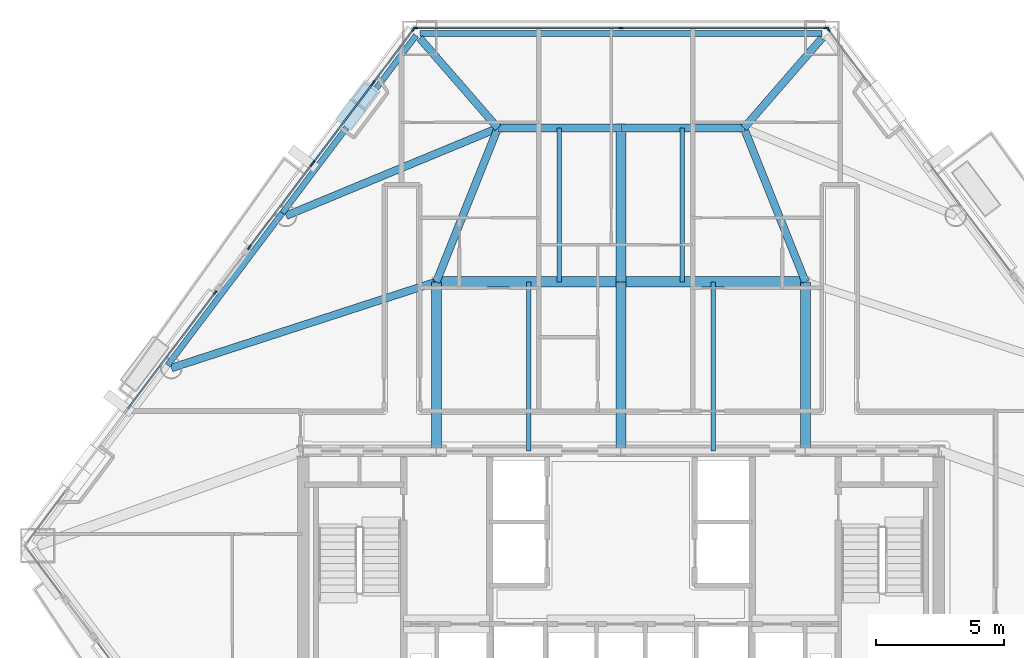
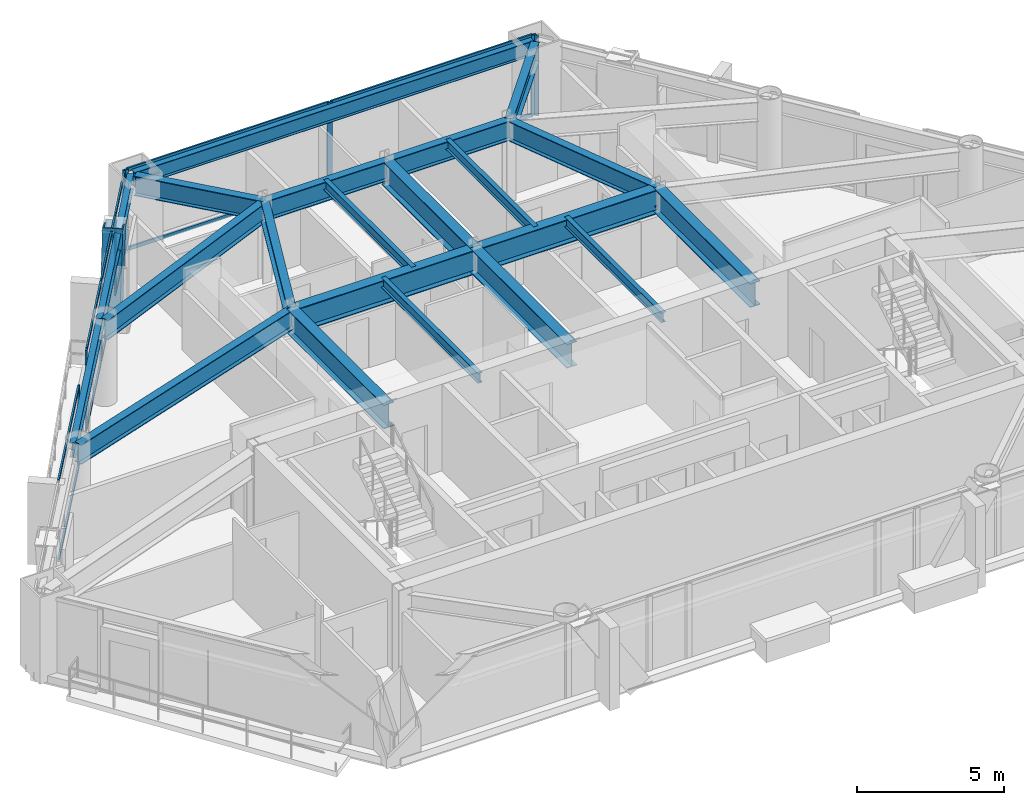
# One storey, part 3 of 11: 24 members, 21 beams, 6 elements without a shape of their own.
"""IFC4 building model written with IfcOpenShell, lengths in metres."""

from ifc_helpers import new_model, si_unit, direction, frame, origin, origin_2d, place, context, subcontext, project, spatial, rectangle, hollow_rectangle, i_section, extrude, material, layer, layer_set, material_profile, profile_set, type_object, element, aggregate, save


model = new_model("IFC4")

# Units and contexts
model_context = context("Model", 3, precision=1e-05, world=origin(), true_north=direction((0.0, 1.0)))
body_context = subcontext(model_context, "Body", "Model", "MODEL_VIEW")
ifc_project = project(units=[si_unit("LENGTHUNIT", "METRE"), si_unit("AREAUNIT", "SQUARE_METRE"), si_unit("VOLUMEUNIT", "CUBIC_METRE"), si_unit("PLANEANGLEUNIT", "RADIAN"), si_unit("MASSUNIT", "GRAM", prefix="KILO")], contexts=[model_context])

# Site, building, storey
site_placement = place(None, origin())
site = spatial("IfcSite", under=ifc_project, at=site_placement, CompositionType="ELEMENT")
building_placement = place(site_placement, origin())
building = spatial("IfcBuilding", under=site, at=building_placement, Name="Talgorran Terracotta Tower", CompositionType="ELEMENT")
storey_placement = place(building_placement, frame((0.0, 0.0, 45.89990234375)))
storey = spatial("IfcBuildingStorey", under=building, at=storey_placement, Name="L11", CompositionType="ELEMENT", Elevation=45.89990234375)

# Beams
ifc_material_1 = material(Name="Steel Grade 350 (350L0)", Category="steel")
ifc_material_profile_1 = material_profile(ifc_material_1, i_section(OverallWidth=0.39990234375, OverallDepth=1.0, WebThickness=0.01611328125, FlangeThickness=0.031005859375, at=origin_2d()), Name="1000WB296")
ifc_profile_set_1 = profile_set([ifc_material_profile_1], Name="Steel Grade 350 (350L0)")
beam_type_1 = type_object("IfcBeamType", Name="BM_1000WB296", PredefinedType="BEAM", material=ifc_profile_set_1)
for number, where, z_axis, x_axis, name in (
    (1, (-7.199951171875, -4.199951171875, 2.85009765625), (0.0, 1.0, 0.0), (-1.0, 0.0, 0.0), "L11 Floor Girder G01"),
    (2, (0.0, -4.199951171875, 2.85009765625), (0.0, 1.0, 0.0), (-1.0, 0.0, 0.0), "L11 Floor Girder G02"),
    (3, (7.199951171875, -4.199951171875, 2.85009765625), (0.0, 1.0, 0.0), (-1.0, 0.0, 0.0), "L11 Floor Girder G03"),
):
    element("IfcBeam", number, at=place(storey_placement, frame(where, z_axis=z_axis, x_axis=x_axis)), inside=storey, type_object=beam_type_1, Name=name, PredefinedType="BEAM", context=body_context, shape_type="SweptSolid", body=[
        extrude(i_section(OverallWidth=0.39990234375, OverallDepth=1.0, WebThickness=0.01611328125, FlangeThickness=0.031005859375, at=origin_2d()), origin(), (0.0, 0.0, 1.0), 6.599853515625),
    ])
for number, where, z_axis, x_axis, name in (
    (4, (-7.199951171875, 2.39990234375, 2.85009765625), (1.0, 0.0, 0.0), (0.0, 1.0, 0.0), "L11 Floor Girder G04"),
    (5, (0.0, 2.39990234375, 2.85009765625), (1.0, 0.0, 0.0), (0.0, 1.0, 0.0), "L11 Floor Girder G05"),
):
    element("IfcBeam", number, at=place(storey_placement, frame(where, z_axis=z_axis, x_axis=x_axis)), inside=storey, type_object=beam_type_1, Name=name, PredefinedType="BEAM", context=body_context, shape_type="SweptSolid", body=[
        extrude(i_section(OverallWidth=0.39990234375, OverallDepth=1.0, WebThickness=0.01611328125, FlangeThickness=0.031005859375, at=origin_2d()), origin(), (0.0, 0.0, 1.0), 7.199951171875),
    ])
beam_1_placement = place(storey_placement, frame((0.0, 2.39990234375, 2.85009765625), z_axis=(0.0, 1.0, 0.0), x_axis=(-1.0, 0.0, 0.0)))
element("IfcBeam", 6, at=beam_1_placement, inside=storey, type_object=beam_type_1, Name="L11 Floor Girder G09", PredefinedType="BEAM", context=body_context, shape_type="SweptSolid", body=[
    extrude(i_section(OverallWidth=0.39990234375, OverallDepth=1.0, WebThickness=0.01611328125, FlangeThickness=0.031005859375, at=origin_2d()), origin(), (0.0, 0.0, 1.0), 6.0),
])
ifc_material_2 = material(Name="Steel S355 (300PLUS)", Category="steel")
ifc_material_profile_2 = material_profile(ifc_material_2, i_section(OverallWidth=0.300048828125, OverallDepth=0.81591796875, WebThickness=0.013916015625, FlangeThickness=0.028076171875, at=origin_2d()), Name="800WB192")
ifc_profile_set_2 = profile_set([ifc_material_profile_2], Name="Steel S355 (300PLUS)")
beam_type_2 = type_object("IfcBeamType", Name="BM_800WB192", PredefinedType="BEAM", material=ifc_profile_set_2)
beam_2_placement = place(storey_placement, frame((-7.199951171875, 2.39990234375, 2.942138671875), z_axis=(-0.950964080861, -0.309301336746, 0.0), x_axis=(0.309301336746, -0.950964080861, 0.0)))
element("IfcBeam", 7, at=beam_2_placement, inside=storey, type_object=beam_type_2, Name="L11 Floor Girder G06", PredefinedType="BEAM", context=body_context, shape_type="SweptSolid", body=[
    extrude(i_section(OverallWidth=0.300048828125, OverallDepth=0.81591796875, WebThickness=0.013916015625, FlangeThickness=0.028076171875, at=origin_2d()), origin(), (0.0, 0.0, 1.0), 10.873046875),
])
for number, where, z_axis, x_axis, name in (
    (8, (-7.199951171875, 2.39990234375, 2.942138671875), (0.371377648723, 0.928481901832, 0.0), (-0.928481901832, 0.371377648723, 0.0), "L11 Floor Girder G08"),
    (9, (7.199951171875, 2.39990234375, 2.942138671875), (-0.371377648723, 0.928481901832, 0.0), (-0.928481901832, -0.371377648723, 0.0), "L11 Floor Girder G10"),
):
    element("IfcBeam", number, at=place(storey_placement, frame(where, z_axis=z_axis, x_axis=x_axis)), inside=storey, type_object=beam_type_2, Name=name, PredefinedType="BEAM", context=body_context, shape_type="SweptSolid", body=[
        extrude(i_section(OverallWidth=0.300048828125, OverallDepth=0.81591796875, WebThickness=0.013916015625, FlangeThickness=0.028076171875, at=origin_2d()), origin(), (0.0, 0.0, 1.0), 6.462158203125),
    ])
for number, where, z_axis, x_axis, name in (
    (10, (-4.800048828125, 8.39990234375, 2.942138671875), (1.0, 0.0, 0.0), (0.0, 1.0, 0.0), "L11 Floor Girder G11"),
    (11, (0.0, 8.39990234375, 2.942138671875), (1.0, 0.0, 0.0), (0.0, 1.0, 0.0), "L11 Floor Girder G12"),
):
    element("IfcBeam", number, at=place(storey_placement, frame(where, z_axis=z_axis, x_axis=x_axis)), inside=storey, type_object=beam_type_2, Name=name, PredefinedType="BEAM", context=body_context, shape_type="SweptSolid", body=[
        extrude(i_section(OverallWidth=0.300048828125, OverallDepth=0.81591796875, WebThickness=0.013916015625, FlangeThickness=0.028076171875, at=origin_2d()), origin(), (0.0, 0.0, 1.0), 4.800048828125),
    ])
beam_3_placement = place(storey_placement, frame((-4.800048828125, 8.39990234375, 2.942138671875), z_axis=(-0.923897446569, -0.382640181141, 0.0), x_axis=(0.382640181141, -0.923897446569, 0.0)))
element("IfcBeam", 12, at=beam_3_placement, inside=storey, type_object=beam_type_2, Name="L11 Floor Girder G13", PredefinedType="BEAM", context=body_context, shape_type="SweptSolid", body=[
    extrude(i_section(OverallWidth=0.300048828125, OverallDepth=0.81591796875, WebThickness=0.013916015625, FlangeThickness=0.028076171875, at=origin_2d()), origin(), (0.0, 0.0, 1.0), 8.947265625),
])
for number, where, z_axis, x_axis, name in (
    (13, (-4.800048828125, 8.39990234375, 2.942138671875), (-0.656030362772, 0.75473449843, 0.0), (-0.75473449843, -0.656030362772, 0.0), "L11 Floor Girder G15"),
    (14, (4.800048828125, 8.39990234375, 2.942138671875), (0.656030362772, 0.75473449843, 0.0), (-0.75473449843, 0.656030362772, 0.0), "L11 Floor Girder G16"),
):
    element("IfcBeam", number, at=place(storey_placement, frame(where, z_axis=z_axis, x_axis=x_axis)), inside=storey, type_object=beam_type_2, Name=name, PredefinedType="BEAM", context=body_context, shape_type="SweptSolid", body=[
        extrude(i_section(OverallWidth=0.300048828125, OverallDepth=0.81591796875, WebThickness=0.013916015625, FlangeThickness=0.028076171875, at=origin_2d()), origin(), (0.0, 0.0, 1.0), 4.645263671875),
    ])
ifc_material_profile_3 = material_profile(ifc_material_2, i_section(OverallWidth=0.177734375, OverallDepth=0.406494140625, WebThickness=0.0078125, FlangeThickness=0.0126953125, at=origin_2d()), Name="410UB59.7")
ifc_profile_set_3 = profile_set([ifc_material_profile_3], Name="Steel S355 (300PLUS)")
beam_type_3 = type_object("IfcBeamType", Name="BM_JS_410UB60", PredefinedType="JOIST", material=ifc_profile_set_3)
for number, where, z_axis, x_axis, name in (
    (15, (-3.60009765625, -4.199951171875, 3.14697265625), (0.0, 1.0, 0.0), (-1.0, 0.0, 0.0), "L11 Secondary Joist J01"),
    (16, (3.60009765625, -4.199951171875, 3.14697265625), (0.0, 1.0, 0.0), (-1.0, 0.0, 0.0), "L11 Secondary Joist J02"),
):
    element("IfcBeam", number, at=place(storey_placement, frame(where, z_axis=z_axis, x_axis=x_axis)), inside=storey, type_object=beam_type_3, Name=name, PredefinedType="JOIST", context=body_context, shape_type="SweptSolid", body=[
        extrude(i_section(OverallWidth=0.177734375, OverallDepth=0.406494140625, WebThickness=0.0078125, FlangeThickness=0.0126953125, at=origin_2d()), origin(), (0.0, 0.0, 1.0), 6.599853515625),
    ])
for number, where, z_axis, x_axis, name in (
    (17, (-2.39990234375, 2.39990234375, 3.14697265625), (0.0, 1.0, 0.0), (-1.0, 0.0, 0.0), "L11 Secondary Joist J03"),
    (18, (2.39990234375, 2.39990234375, 3.14697265625), (0.0, 1.0, 0.0), (-1.0, 0.0, 0.0), "L11 Secondary Joist J04"),
):
    element("IfcBeam", number, at=place(storey_placement, frame(where, z_axis=z_axis, x_axis=x_axis)), inside=storey, type_object=beam_type_3, Name=name, PredefinedType="JOIST", context=body_context, shape_type="SweptSolid", body=[
        extrude(i_section(OverallWidth=0.177734375, OverallDepth=0.406494140625, WebThickness=0.0078125, FlangeThickness=0.0126953125, at=origin_2d()), origin(), (0.0, 0.0, 1.0), 6.0),
    ])
ifc_material_profile_4 = material_profile(ifc_material_2, i_section(OverallWidth=0.22900390625, OverallDepth=0.611572265625, WebThickness=0.011962890625, FlangeThickness=0.01953125, at=origin_2d()), Name="610UB125")
ifc_profile_set_4 = profile_set([ifc_material_profile_4], Name="Steel S355 (300PLUS)")
beam_type_4 = type_object("IfcBeamType", Name="BM_SP_610UB125", PredefinedType="SPANDREL", material=ifc_profile_set_4)
beam_4_placement = place(storey_placement, frame((7.847412109375, 12.085693359375, 3.044189453125), z_axis=(-1.0, 0.0, 0.0), x_axis=(0.0, -1.0, 0.0)))
element("IfcBeam", 19, at=beam_4_placement, inside=storey, type_object=beam_type_4, Name="L11 Perimeter Spandrel Beam MC5-MC6", PredefinedType="SPANDREL", context=body_context, shape_type="SweptSolid", body=[
    extrude(i_section(OverallWidth=0.22900390625, OverallDepth=0.611572265625, WebThickness=0.011962890625, FlangeThickness=0.01953125, at=origin_2d()), origin(), (0.0, 0.0, 1.0), 15.69482421875),
])
beam_5_placement = place(storey_placement, frame((-7.9912109375, 12.013916015625, 3.044189453125), z_axis=(-0.601628840165, -0.798775774972, 0.0), x_axis=(0.798775774972, -0.601628840165, 0.0)))
element("IfcBeam", 20, at=beam_5_placement, inside=storey, type_object=beam_type_4, Name="L11 Perimeter Spandrel Beam MC6-FC5", PredefinedType="SPANDREL", context=body_context, shape_type="SweptSolid", body=[
    extrude(i_section(OverallWidth=0.22900390625, OverallDepth=0.611572265625, WebThickness=0.011962890625, FlangeThickness=0.01953125, at=origin_2d()), origin(), (0.0, 0.0, 1.0), 8.6748046875),
])
beam_6_placement = place(storey_placement, frame((-13.210205078125, 5.084716796875, 3.044189453125), z_axis=(-0.601616830796, -0.79878482015, 0.0), x_axis=(0.79878482015, -0.601616830796, 0.0)))
element("IfcBeam", 21, at=beam_6_placement, inside=storey, type_object=beam_type_4, Name="L11 Perimeter Spandrel Beam FC5-FC6", PredefinedType="SPANDREL", context=body_context, shape_type="SweptSolid", body=[
    extrude(i_section(OverallWidth=0.22900390625, OverallDepth=0.611572265625, WebThickness=0.011962890625, FlangeThickness=0.01953125, at=origin_2d()), origin(), (0.0, 0.0, 1.0), 7.435546875),
])

# Member
ifc_material_profile_5 = material_profile(ifc_material_1, hollow_rectangle(XDim=0.699951171875, YDim=0.89990234375, WallThickness=0.050048828125, at=origin_2d()), Name="WBOX900X700X50")
ifc_profile_set_5 = profile_set([ifc_material_profile_5], Name="Steel Grade 350 (350L0)")
member_type_1 = type_object("IfcMemberType", Name="MB_MEGA_900", PredefinedType="BRACE", material=ifc_profile_set_5)
member_1_placement = place(storey_placement, frame((-10.547119140625, 8.91943359375, -0.02490234375), z_axis=(0.159263395271, 0.211543335893, 0.964305235891), x_axis=(-0.798900335127, 0.601463427428, 0.0)))
element("IfcMember", 22, at=member_1_placement, inside=storey, type_object=member_type_1, Name="L11 Exterior Face Mega-Brace MB-1 (NWU)", PredefinedType="BRACE", context=body_context, shape_type="SweptSolid", body=[
    extrude(hollow_rectangle(XDim=0.699951171875, YDim=0.89990234375, WallThickness=0.050048828125, at=origin_2d()), origin(), (0.0, 0.0, 1.0), 3.525634765625),
])

# Curtain wall, member
ifc_material_3 = material(Name="Unitised Low-E Double Glazing", Category="glass")
ifc_layer = layer(ifc_material_3, 0.199951171875, Name="CW_SYS2_RES_LOW")
ifc_layer_set = layer_set([ifc_layer], Name="Unitised Low-E Double Glazing")
curtain_wall_type = type_object("IfcCurtainWallType", Name="CW_SYS2_RES_LOW", PredefinedType="NOTDEFINED", material=ifc_layer_set)
curtain_wall_1_placement = place(storey_placement, origin())
curtain_wall_1 = element("IfcCurtainWall", 23, at=curtain_wall_1_placement, inside=storey, type_object=curtain_wall_type, Name="CW-L11-F41C", PredefinedType="NOTDEFINED")
ifc_material_4 = material(Name="Architectural Aluminium 6063-T6", Category="aluminium")
ifc_material_profile_6 = material_profile(ifc_material_4, rectangle(XDim=0.06494140625, YDim=0.18505859375, at=origin_2d()), Name="CWM65X185")
ifc_profile_set_6 = profile_set([ifc_material_profile_6], Name="Architectural Aluminium 6063-T6")
member_type_2 = type_object("IfcMemberType", Name="MUL_65X185", PredefinedType="MULLION", material=ifc_profile_set_6)
member_2_placement = place(storey_placement, frame((8.090576171875, 12.247802734375, 0.0), z_axis=(0.0, 0.0, 1.0), x_axis=(-0.798787663306, -0.601613055834, 0.0)))
member_2 = element("IfcMember", 24, at=member_2_placement, type_object=member_type_2, Name="CW-L11-41C mullion 2", PredefinedType="MULLION", context=body_context, shape_type="SweptSolid", body=[
    extrude(rectangle(XDim=0.06494140625, YDim=0.18505859375, at=origin_2d()), origin(), (0.0, 0.0, 1.0), 3.35009765625),
])
aggregate(curtain_wall_1, [member_2])

# Curtain wall, members
curtain_wall_2_placement = place(storey_placement, origin())
curtain_wall_2 = element("IfcCurtainWall", 25, at=curtain_wall_2_placement, inside=storey, type_object=curtain_wall_type, Name="CW-L11-F4", PredefinedType="NOTDEFINED")
member_3_placement = place(storey_placement, frame((8.014404296875, 12.3056640625, 0.0), z_axis=(0.0, 0.0, 1.0), x_axis=(0.0, -1.0, 0.0)))
member_3 = element("IfcMember", 26, at=member_3_placement, type_object=member_type_2, Name="CW-L11-4 mullion 1", PredefinedType="MULLION", context=body_context, shape_type="SweptSolid", body=[
    extrude(rectangle(XDim=0.06494140625, YDim=0.18505859375, at=origin_2d()), origin(), (0.0, 0.0, 1.0), 3.35009765625),
])
member_4_placement = place(storey_placement, frame((0.0, 12.3056640625, 0.0), z_axis=(0.0, 0.0, 1.0), x_axis=(0.0, -1.0, 0.0)))
member_4 = element("IfcMember", 27, at=member_4_placement, type_object=member_type_2, Name="CW-L11-4 mullion 2", PredefinedType="MULLION", context=body_context, shape_type="SweptSolid", body=[
    extrude(rectangle(XDim=0.06494140625, YDim=0.18505859375, at=origin_2d()), origin(), (0.0, 0.0, 1.0), 3.35009765625),
])
member_5_placement = place(storey_placement, frame((-8.014404296875, 12.3056640625, 0.0), z_axis=(0.0, 0.0, 1.0), x_axis=(0.0, -1.0, 0.0)))
member_5 = element("IfcMember", 28, at=member_5_placement, type_object=member_type_2, Name="CW-L11-4 mullion 3", PredefinedType="MULLION", context=body_context, shape_type="SweptSolid", body=[
    extrude(rectangle(XDim=0.06494140625, YDim=0.18505859375, at=origin_2d()), origin(), (0.0, 0.0, 1.0), 3.35009765625),
])

curtain_wall_3_placement = place(storey_placement, origin())
curtain_wall_3 = element("IfcCurtainWall", 29, at=curtain_wall_3_placement, inside=storey, type_object=curtain_wall_type, Name="CW-L11-F60", PredefinedType="NOTDEFINED")
member_6_placement = place(storey_placement, frame((-8.090576171875, 12.247802734375, 0.0), z_axis=(0.0, 0.0, 1.0), x_axis=(0.798769504198, -0.60163716571, 0.0)))
member_6 = element("IfcMember", 30, at=member_6_placement, type_object=member_type_2, Name="CW-L11-60 mullion 1", PredefinedType="MULLION", context=body_context, shape_type="SweptSolid", body=[
    extrude(rectangle(XDim=0.06494140625, YDim=0.18505859375, at=origin_2d()), origin(), (0.0, 0.0, 1.0), 3.35009765625),
])
member_7_placement = place(storey_placement, frame((-9.6435546875, 10.185791015625, 0.0), z_axis=(0.0, 0.0, 1.0), x_axis=(0.798769504198, -0.60163716571, 0.0)))
member_7 = element("IfcMember", 31, at=member_7_placement, type_object=member_type_2, Name="CW-L11-60 mullion 2", PredefinedType="MULLION", context=body_context, shape_type="SweptSolid", body=[
    extrude(rectangle(XDim=0.06494140625, YDim=0.18505859375, at=origin_2d()), origin(), (0.0, 0.0, 1.0), 3.35009765625),
])

curtain_wall_4_placement = place(storey_placement, origin())
curtain_wall_4 = element("IfcCurtainWall", 32, at=curtain_wall_4_placement, inside=storey, type_object=curtain_wall_type, Name="CW-L11-F60B", PredefinedType="NOTDEFINED")
member_8_placement = place(storey_placement, frame((-9.688720703125, 10.125732421875, 0.0), z_axis=(0.0, 0.0, 1.0), x_axis=(0.798774003378, -0.601631192283, 0.0)))
member_8 = element("IfcMember", 33, at=member_8_placement, type_object=member_type_2, Name="CW-L11-60B mullion 1", PredefinedType="MULLION", context=body_context, shape_type="SweptSolid", body=[
    extrude(rectangle(XDim=0.06494140625, YDim=0.18505859375, at=origin_2d()), origin(), (0.0, 0.0, 1.0), 3.35009765625),
])
member_9_placement = place(storey_placement, frame((-12.00830078125, 7.046142578125, 0.0), z_axis=(0.0, 0.0, 1.0), x_axis=(0.798774003378, -0.601631192283, 0.0)))
member_9 = element("IfcMember", 34, at=member_9_placement, type_object=member_type_2, Name="CW-L11-60B mullion 2", PredefinedType="MULLION", context=body_context, shape_type="SweptSolid", body=[
    extrude(rectangle(XDim=0.06494140625, YDim=0.18505859375, at=origin_2d()), origin(), (0.0, 0.0, 1.0), 3.35009765625),
])

curtain_wall_5_placement = place(storey_placement, origin())
curtain_wall_5 = element("IfcCurtainWall", 35, at=curtain_wall_5_placement, inside=storey, type_object=curtain_wall_type, Name="CW-L11-F60C", PredefinedType="NOTDEFINED")
member_10_placement = place(storey_placement, frame((-12.053466796875, 6.986328125, 0.0), z_axis=(0.0, 0.0, 1.0), x_axis=(0.798777858358, -0.601626074067, 0.0)))
member_10 = element("IfcMember", 36, at=member_10_placement, type_object=member_type_2, Name="CW-L11-60C mullion 1", PredefinedType="MULLION", context=body_context, shape_type="SweptSolid", body=[
    extrude(rectangle(XDim=0.06494140625, YDim=0.18505859375, at=origin_2d()), origin(), (0.0, 0.0, 1.0), 3.35009765625),
])
member_11_placement = place(storey_placement, frame((-14.492919921875, 3.74755859375, 0.0), z_axis=(0.0, 0.0, 1.0), x_axis=(0.798777858358, -0.601626074067, 0.0)))
member_11 = element("IfcMember", 37, at=member_11_placement, type_object=member_type_2, Name="CW-L11-60C mullion 2", PredefinedType="MULLION", context=body_context, shape_type="SweptSolid", body=[
    extrude(rectangle(XDim=0.06494140625, YDim=0.18505859375, at=origin_2d()), origin(), (0.0, 0.0, 1.0), 3.35009765625),
])

# Curtain wall, member
curtain_wall_6_placement = place(storey_placement, origin())
curtain_wall_6 = element("IfcCurtainWall", 38, at=curtain_wall_6_placement, inside=storey, type_object=curtain_wall_type, Name="CW-L11-F61", PredefinedType="NOTDEFINED")
member_12_placement = place(storey_placement, frame((-15.83154296875, 1.97021484375, 0.0), z_axis=(0.0, 0.0, 1.0), x_axis=(0.79877585665, -0.601628731722, 0.0)))
member_12 = element("IfcMember", 39, at=member_12_placement, type_object=member_type_2, Name="CW-L11-61 mullion 1", PredefinedType="MULLION", context=body_context, shape_type="SweptSolid", body=[
    extrude(rectangle(XDim=0.06494140625, YDim=0.18505859375, at=origin_2d()), origin(), (0.0, 0.0, 1.0), 3.35009765625),
])

# Member
ifc_material_profile_7 = material_profile(ifc_material_4, rectangle(XDim=0.06494140625, YDim=0.14990234375, at=origin_2d()), Name="CWT65X150")
ifc_profile_set_7 = profile_set([ifc_material_profile_7], Name="Architectural Aluminium 6063-T6")
member_type_3 = type_object("IfcMemberType", Name="TRN_65X150", PredefinedType="USERDEFINED", material=ifc_profile_set_7)
member_13_placement = place(storey_placement, frame((7.98193359375, 12.3056640625, 0.03271484375), z_axis=(-1.0, 0.0, 0.0), x_axis=(0.0, -1.0, 0.0)))
member_13 = element("IfcMember", 40, at=member_13_placement, type_object=member_type_3, Name="CW-L11-4 transom 1.1", ObjectType="TRANSOM", PredefinedType="USERDEFINED", context=body_context, shape_type="SweptSolid", body=[
    extrude(rectangle(XDim=0.06494140625, YDim=0.14990234375, at=origin_2d()), origin(), (0.0, 0.0, 1.0), 7.949462890625),
])

member_14_placement = place(storey_placement, frame((7.98193359375, 12.3056640625, 3.317626953125), z_axis=(-1.0, 0.0, 0.0), x_axis=(0.0, -1.0, 0.0)))
member_14 = element("IfcMember", 41, at=member_14_placement, type_object=member_type_3, Name="CW-L11-4 transom 1.2", ObjectType="TRANSOM", PredefinedType="USERDEFINED", context=body_context, shape_type="SweptSolid", body=[
    extrude(rectangle(XDim=0.06494140625, YDim=0.14990234375, at=origin_2d()), origin(), (0.0, 0.0, 1.0), 7.949462890625),
])

member_15_placement = place(storey_placement, frame((-0.032470703125, 12.3056640625, 0.03271484375), z_axis=(-1.0, 0.0, 0.0), x_axis=(0.0, -1.0, 0.0)))
member_15 = element("IfcMember", 42, at=member_15_placement, type_object=member_type_3, Name="CW-L11-4 transom 2.1", ObjectType="TRANSOM", PredefinedType="USERDEFINED", context=body_context, shape_type="SweptSolid", body=[
    extrude(rectangle(XDim=0.06494140625, YDim=0.14990234375, at=origin_2d()), origin(), (0.0, 0.0, 1.0), 7.949462890625),
])

member_16_placement = place(storey_placement, frame((-0.032470703125, 12.3056640625, 3.317626953125), z_axis=(-1.0, 0.0, 0.0), x_axis=(0.0, -1.0, 0.0)))
member_16 = element("IfcMember", 43, at=member_16_placement, type_object=member_type_3, Name="CW-L11-4 transom 2.2", ObjectType="TRANSOM", PredefinedType="USERDEFINED", context=body_context, shape_type="SweptSolid", body=[
    extrude(rectangle(XDim=0.06494140625, YDim=0.14990234375, at=origin_2d()), origin(), (0.0, 0.0, 1.0), 7.949462890625),
])

aggregate(curtain_wall_2, [member_3, member_4, member_5, member_13, member_14, member_15, member_16])

member_17_placement = place(storey_placement, frame((-8.110107421875, 12.2216796875, 0.03271484375), z_axis=(-0.601628711481, -0.798775871895, 0.0), x_axis=(0.798775871895, -0.601628711481, 0.0)))
member_17 = element("IfcMember", 44, at=member_17_placement, type_object=member_type_3, Name="CW-L11-60 transom 1.1", ObjectType="TRANSOM", PredefinedType="USERDEFINED", context=body_context, shape_type="SweptSolid", body=[
    extrude(rectangle(XDim=0.06494140625, YDim=0.14990234375, at=origin_2d()), origin(), (0.0, 0.0, 1.0), 2.516357421875),
])

member_18_placement = place(storey_placement, frame((-8.110107421875, 12.2216796875, 3.317626953125), z_axis=(-0.601628711481, -0.798775871895, 0.0), x_axis=(0.798775871895, -0.601628711481, 0.0)))
member_18 = element("IfcMember", 45, at=member_18_placement, type_object=member_type_3, Name="CW-L11-60 transom 1.2", ObjectType="TRANSOM", PredefinedType="USERDEFINED", context=body_context, shape_type="SweptSolid", body=[
    extrude(rectangle(XDim=0.06494140625, YDim=0.14990234375, at=origin_2d()), origin(), (0.0, 0.0, 1.0), 2.516357421875),
])

aggregate(curtain_wall_3, [member_6, member_7, member_17, member_18])

member_19_placement = place(storey_placement, frame((-9.708251953125, 10.099853515625, 0.03271484375), z_axis=(-0.601626969468, -0.798777183956, 0.0), x_axis=(0.798777183956, -0.601626969468, 0.0)))
member_19 = element("IfcMember", 46, at=member_19_placement, type_object=member_type_3, Name="CW-L11-60B transom 1.1", ObjectType="TRANSOM", PredefinedType="USERDEFINED", context=body_context, shape_type="SweptSolid", body=[
    extrude(rectangle(XDim=0.06494140625, YDim=0.14990234375, at=origin_2d()), origin(), (0.0, 0.0, 1.0), 3.79052734375),
])

member_20_placement = place(storey_placement, frame((-9.708251953125, 10.099853515625, 3.317626953125), z_axis=(-0.601626969468, -0.798777183956, 0.0), x_axis=(0.798777183956, -0.601626969468, 0.0)))
member_20 = element("IfcMember", 47, at=member_20_placement, type_object=member_type_3, Name="CW-L11-60B transom 1.2", ObjectType="TRANSOM", PredefinedType="USERDEFINED", context=body_context, shape_type="SweptSolid", body=[
    extrude(rectangle(XDim=0.06494140625, YDim=0.14990234375, at=origin_2d()), origin(), (0.0, 0.0, 1.0), 3.79052734375),
])

aggregate(curtain_wall_4, [member_8, member_9, member_19, member_20])

member_21_placement = place(storey_placement, frame((-12.072998046875, 6.960205078125, 0.03271484375), z_axis=(-0.601653385792, -0.798757286894, 0.0), x_axis=(0.798757286894, -0.601653385792, 0.0)))
member_21 = element("IfcMember", 48, at=member_21_placement, type_object=member_type_3, Name="CW-L11-60C transom 1.1", ObjectType="TRANSOM", PredefinedType="USERDEFINED", context=body_context, shape_type="SweptSolid", body=[
    extrude(rectangle(XDim=0.06494140625, YDim=0.14990234375, at=origin_2d()), origin(), (0.0, 0.0, 1.0), 3.98974609375),
])

member_22_placement = place(storey_placement, frame((-12.072998046875, 6.960205078125, 3.317626953125), z_axis=(-0.601653385792, -0.798757286894, 0.0), x_axis=(0.798757286894, -0.601653385792, 0.0)))
member_22 = element("IfcMember", 49, at=member_22_placement, type_object=member_type_3, Name="CW-L11-60C transom 1.2", ObjectType="TRANSOM", PredefinedType="USERDEFINED", context=body_context, shape_type="SweptSolid", body=[
    extrude(rectangle(XDim=0.06494140625, YDim=0.14990234375, at=origin_2d()), origin(), (0.0, 0.0, 1.0), 3.98974609375),
])

aggregate(curtain_wall_5, [member_10, member_11, member_21, member_22])

member_23_placement = place(storey_placement, frame((-15.85107421875, 1.944091796875, 0.03271484375), z_axis=(-0.601627457357, -0.798776816485, 0.0), x_axis=(0.798776816485, -0.601627457357, 0.0)))
member_23 = element("IfcMember", 50, at=member_23_placement, type_object=member_type_3, Name="CW-L11-61 transom 1.1", ObjectType="TRANSOM", PredefinedType="USERDEFINED", context=body_context, shape_type="SweptSolid", body=[
    extrude(rectangle(XDim=0.06494140625, YDim=0.14990234375, at=origin_2d()), origin(), (0.0, 0.0, 1.0), 5.6123046875),
])

member_24_placement = place(storey_placement, frame((-15.85107421875, 1.944091796875, 3.317626953125), z_axis=(-0.601627457357, -0.798776816485, 0.0), x_axis=(0.798776816485, -0.601627457357, 0.0)))
member_24 = element("IfcMember", 51, at=member_24_placement, type_object=member_type_3, Name="CW-L11-61 transom 1.2", ObjectType="TRANSOM", PredefinedType="USERDEFINED", context=body_context, shape_type="SweptSolid", body=[
    extrude(rectangle(XDim=0.06494140625, YDim=0.14990234375, at=origin_2d()), origin(), (0.0, 0.0, 1.0), 5.6123046875),
])

aggregate(curtain_wall_6, [member_12, member_23, member_24])

save(model, "model.ifc")
